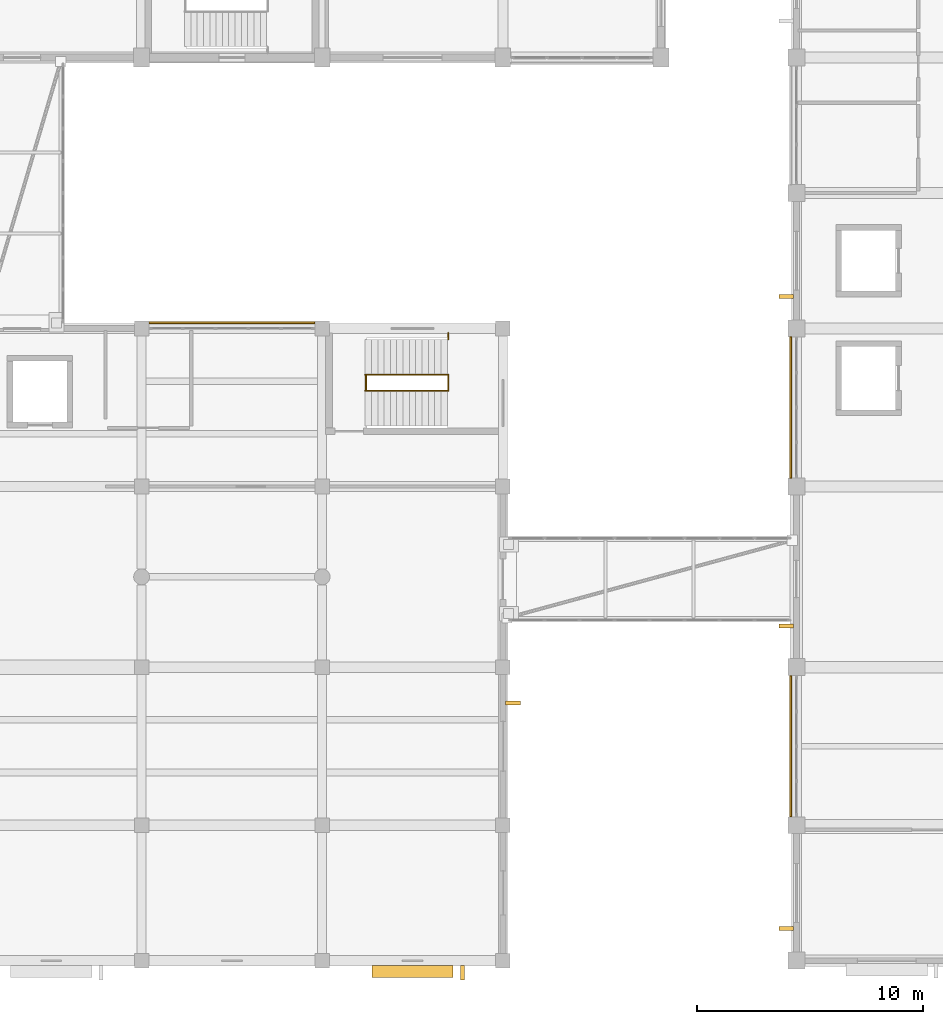
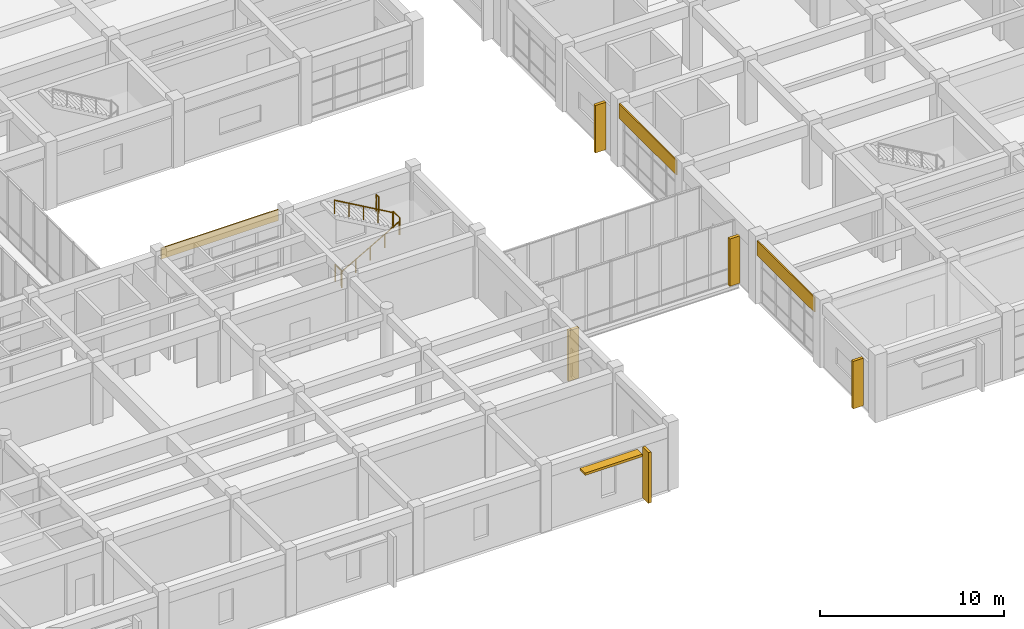
# One storey, part 65 of 70: 6 shading devices, 5 railings, 3 coverings.
"""IFC4 building model written with IfcOpenShell, lengths in metres."""

from ifc_helpers import new_model, si_unit, direction, frame, origin, origin_2d, place, context, subcontext, project, spatial, rectangle, circle, extrude, material, layer, layer_set, type_object, element, save


model = new_model("IFC4")

# Units and contexts
model_context = context("Model", 3, precision=1e-05, world=origin(), true_north=direction((0.0, 1.0)))
body_context = subcontext(model_context, "Body", "Model", "MODEL_VIEW")
ifc_project = project(units=[si_unit("LENGTHUNIT", "METRE"), si_unit("AREAUNIT", "SQUARE_METRE"), si_unit("VOLUMEUNIT", "CUBIC_METRE"), si_unit("PLANEANGLEUNIT", "RADIAN"), si_unit("MASSUNIT", "GRAM", prefix="KILO")], contexts=[model_context])

# Site, building, storey
site_placement = place(None, origin())
site = spatial("IfcSite", under=ifc_project, at=site_placement, CompositionType="ELEMENT")
building_placement = place(site_placement, origin())
building = spatial("IfcBuilding", under=site, at=building_placement, Name="Naurynzar Civic Courthouse", CompositionType="ELEMENT")
storey_placement = place(building_placement, frame((0.0, 0.0, 5.39990234375)))
storey = spatial("IfcBuildingStorey", under=building, at=storey_placement, Name="L02", CompositionType="ELEMENT", Elevation=5.39990234375)

# Coverings
ifc_material_1 = material(Name="Precast concrete C40/50", Category="concrete")
ifc_layer = layer(ifc_material_1, 0.080078125)
ifc_layer_set = layer_set([ifc_layer], Name="COV-CLAD-PRECAST-80")
covering_type = type_object("IfcCoveringType", Name="COV-CLAD-PRECAST-80", PredefinedType="CLADDING", material=ifc_layer_set)
covering_placement = place(storey_placement, frame((105.0, 32.2548828125, 3.43994140625), z_axis=(0.0, 0.0, 1.0), x_axis=(1.0, 0.0, 0.0)))
element("IfcCovering", 1, at=covering_placement, inside=storey, type_object=covering_type, Name="V3 precast spandrel cladding 66", PredefinedType="CLADDING", context=body_context, shape_type="SweptSolid", body=[
    extrude(rectangle(XDim=7.35009765625, YDim=0.080078125, at=origin_2d()), origin(), (0.0, 0.0, 1.0), 0.719970703125),
])
for number, where, z_axis, x_axis, name in (
    (2, (129.7451171875, 13.5, 3.22998046875), (0.0, 0.0, 1.0), (0.0, 1.0, 0.0), "V5 precast spandrel cladding 85"),
    (3, (129.7451171875, 28.5, 3.22998046875), (0.0, 0.0, 1.0), (0.0, 1.0, 0.0), "V5 precast spandrel cladding 86"),
):
    element("IfcCovering", number, at=place(storey_placement, frame(where, z_axis=z_axis, x_axis=x_axis)), inside=storey, type_object=covering_type, Name=name, PredefinedType="CLADDING", context=body_context, shape_type="SweptSolid", body=[
        extrude(rectangle(XDim=6.25, YDim=0.080078125, at=origin_2d()), origin(), (0.0, 0.0, 1.0), 0.969970703125),
    ])

# Railings
ifc_material_2 = material(Name="Brushed Stainless Steel 304", Category="steel")
railing_type_1 = type_object("IfcRailingType", Name="RAIL-BAL-1100", PredefinedType="BALUSTRADE", material=ifc_material_2)
for number, where, name in (
    (4, (110.93994140625, 29.239990234375, 0.0), "Stair ST-V3B floor well slot guard L02"),
    (5, (114.580078125, 29.239990234375, 2.25), "Stair ST-V3B-L02 half-landing well guard"),
):
    element("IfcRailing", number, at=place(storey_placement, frame(where)), inside=storey, type_object=railing_type_1, Name=name, PredefinedType="BALUSTRADE", context=body_context, shape_type="SweptSolid", body=[
        extrude(circle(Radius=0.02392578125, at=origin_2d()), frame((0.0, 0.0, 1.09619140625), z_axis=(0.0, 1.0, 0.0), x_axis=(-1.0, 0.0, 0.0)), (0.0, 0.0, 1.0), 0.719970703125),
        extrude(circle(Radius=0.02099609375, at=origin_2d()), origin(), (0.0, 0.0, 1.0), 1.072021484375),
        extrude(circle(Radius=0.02099609375, at=origin_2d()), frame((0.0, 0.719970703125, 0.0)), (0.0, 0.0, 1.0), 1.072021484375),
    ])
railing_1_placement = place(storey_placement, frame((114.580078125, 31.52001953125, 2.25)))
element("IfcRailing", 6, at=railing_1_placement, inside=storey, type_object=railing_type_1, Name="Stair ST-V3B-L02 half-landing north slot guard", PredefinedType="BALUSTRADE", context=body_context, shape_type="SweptSolid", body=[
    extrude(circle(Radius=0.02392578125, at=origin_2d()), frame((0.0, 0.0, 1.09619140625), z_axis=(0.0, 1.0, 0.0), x_axis=(-1.0, 0.0, 0.0)), (0.0, 0.0, 1.0), 0.284912109375),
    extrude(circle(Radius=0.02099609375, at=origin_2d()), origin(), (0.0, 0.0, 1.0), 1.072021484375),
    extrude(circle(Radius=0.02099609375, at=origin_2d()), frame((0.0, 0.284912109375, 0.0)), (0.0, 0.0, 1.0), 1.072021484375),
])
ifc_material_3 = material(Name="Brushed Stainless Steel 304", Category="steel")
railing_type_2 = type_object("IfcRailingType", Name="RAIL-HR-900", PredefinedType="HANDRAIL", material=ifc_material_3)
railing_2_placement = place(storey_placement, frame((110.89990234375, 29.239990234375, 0.160888671875)))
element("IfcRailing", 7, at=railing_2_placement, inside=storey, type_object=railing_type_2, Name="Stair ST-V3B-L02 flight 1 handrail", PredefinedType="HANDRAIL", context=body_context, shape_type="SweptSolid", body=[
    extrude(circle(Radius=0.02392578125, at=origin_2d()), frame((0.0, 0.0, 0.8759765625), z_axis=(0.867314486057, 0.0, 0.497760567216), x_axis=(0.0, 1.0, 0.0)), (0.0, 0.0, 1.0), 4.197021484375),
    extrude(circle(Radius=0.02099609375, at=origin_2d()), origin(), (0.0, 0.0, 1.0), 0.851806640625),
    extrude(circle(Radius=0.02099609375, at=origin_2d()), frame((0.91015625, 0.0, 0.522216796875)), (0.0, 0.0, 1.0), 0.851806640625),
    extrude(circle(Radius=0.02099609375, at=origin_2d()), frame((1.820068359375, 0.0, 1.04443359375)), (0.0, 0.0, 1.0), 0.851806640625),
    extrude(circle(Radius=0.02099609375, at=origin_2d()), frame((2.72998046875, 0.0, 1.56689453125)), (0.0, 0.0, 1.0), 0.851806640625),
    extrude(circle(Radius=0.02099609375, at=origin_2d()), frame((3.64013671875, 0.0, 2.089111328125)), (0.0, 0.0, 1.0), 0.851806640625),
])
railing_3_placement = place(storey_placement, frame((114.5400390625, 29.9599609375, 2.410888671875)))
element("IfcRailing", 8, at=railing_3_placement, inside=storey, type_object=railing_type_2, Name="Stair ST-V3B-L02 flight 2 handrail", PredefinedType="HANDRAIL", context=body_context, shape_type="SweptSolid", body=[
    extrude(circle(Radius=0.02392578125, at=origin_2d()), frame((0.0, 0.0, 0.8759765625), z_axis=(-0.867314486057, 0.0, 0.497760567216), x_axis=(0.0, -1.0, 0.0)), (0.0, 0.0, 1.0), 4.197021484375),
    extrude(circle(Radius=0.02099609375, at=origin_2d()), origin(), (0.0, 0.0, 1.0), 0.851806640625),
    extrude(circle(Radius=0.02099609375, at=origin_2d()), frame((-0.91015625, 0.0, 0.522216796875)), (0.0, 0.0, 1.0), 0.851806640625),
    extrude(circle(Radius=0.02099609375, at=origin_2d()), frame((-1.820068359375, 0.0, 1.04443359375)), (0.0, 0.0, 1.0), 0.851806640625),
    extrude(circle(Radius=0.02099609375, at=origin_2d()), frame((-2.72998046875, 0.0, 1.56689453125)), (0.0, 0.0, 1.0), 0.851806640625),
    extrude(circle(Radius=0.02099609375, at=origin_2d()), frame((-3.64013671875, 0.0, 2.089111328125)), (0.0, 0.0, 1.0), 0.851806640625),
])

# Shading devices
ifc_material_4 = material(Name="Precast concrete C40/50", Category="concrete")
shading_device_type_1 = type_object("IfcShadingDeviceType", Name="SHD-FIN-V650", PredefinedType="JALOUSIE", material=ifc_material_4)
for number, where, z_axis, x_axis, name in (
    (9, (117.449951171875, 15.405029296875, 0.0400390625), (0.0, 0.0, 1.0), (0.0, -1.0, 0.0), "V3 vertical brise-soleil fin 36"),
    (10, (115.205078125, 3.469970703125, 0.0400390625), (0.0, 0.0, 1.0), (-1.0, 0.0, 0.0), "V3 vertical brise-soleil fin 37"),
):
    element("IfcShadingDevice", number, at=place(storey_placement, frame(where, z_axis=z_axis, x_axis=x_axis)), inside=storey, type_object=shading_device_type_1, Name=name, PredefinedType="JALOUSIE", context=body_context, shape_type="SweptSolid", body=[
        extrude(rectangle(XDim=0.179931640625, YDim=0.64990234375, at=origin_2d()), origin(), (0.0, 0.0, 1.0), 3.360107421875),
    ])
for number, where, z_axis, x_axis, name in (
    (11, (129.550048828125, 5.425048828125, 0.0400390625), (0.0, 0.0, 1.0), (0.0, 1.0, 0.0), "V5 vertical brise-soleil fin 71"),
    (12, (129.550048828125, 18.824951171875, 0.0400390625), (0.0, 0.0, 1.0), (0.0, 1.0, 0.0), "V5 vertical brise-soleil fin 72"),
    (13, (129.550048828125, 33.425048828125, 0.0400390625), (0.0, 0.0, 1.0), (0.0, 1.0, 0.0), "V5 vertical brise-soleil fin 73"),
):
    element("IfcShadingDevice", number, at=place(storey_placement, frame(where, z_axis=z_axis, x_axis=x_axis)), inside=storey, type_object=shading_device_type_1, Name=name, PredefinedType="JALOUSIE", context=body_context, shape_type="SweptSolid", body=[
        extrude(rectangle(XDim=0.179931640625, YDim=0.64990234375, at=origin_2d()), origin(), (0.0, 0.0, 1.0), 3.14990234375),
    ])
ifc_material_5 = material(Name="Precast concrete C40/50", Category="concrete")
shading_device_type_2 = type_object("IfcShadingDeviceType", Name="SHD-LOUV-H550", PredefinedType="SHUTTER", material=ifc_material_5)
shading_device_placement = place(storey_placement, frame((113.0, 3.52001953125, 3.2001953125), z_axis=(0.0, 0.0, 1.0), x_axis=(-1.0, 0.0, 0.0)))
element("IfcShadingDevice", 14, at=shading_device_placement, inside=storey, type_object=shading_device_type_2, Name="V3 horizontal solar sun-breaker 37", PredefinedType="SHUTTER", context=body_context, shape_type="SweptSolid", body=[
    extrude(rectangle(XDim=3.60009765625, YDim=0.550048828125, at=origin_2d()), origin(), (0.0, 0.0, 1.0), 0.159912109375),
])

save(model, "model.ifc")
